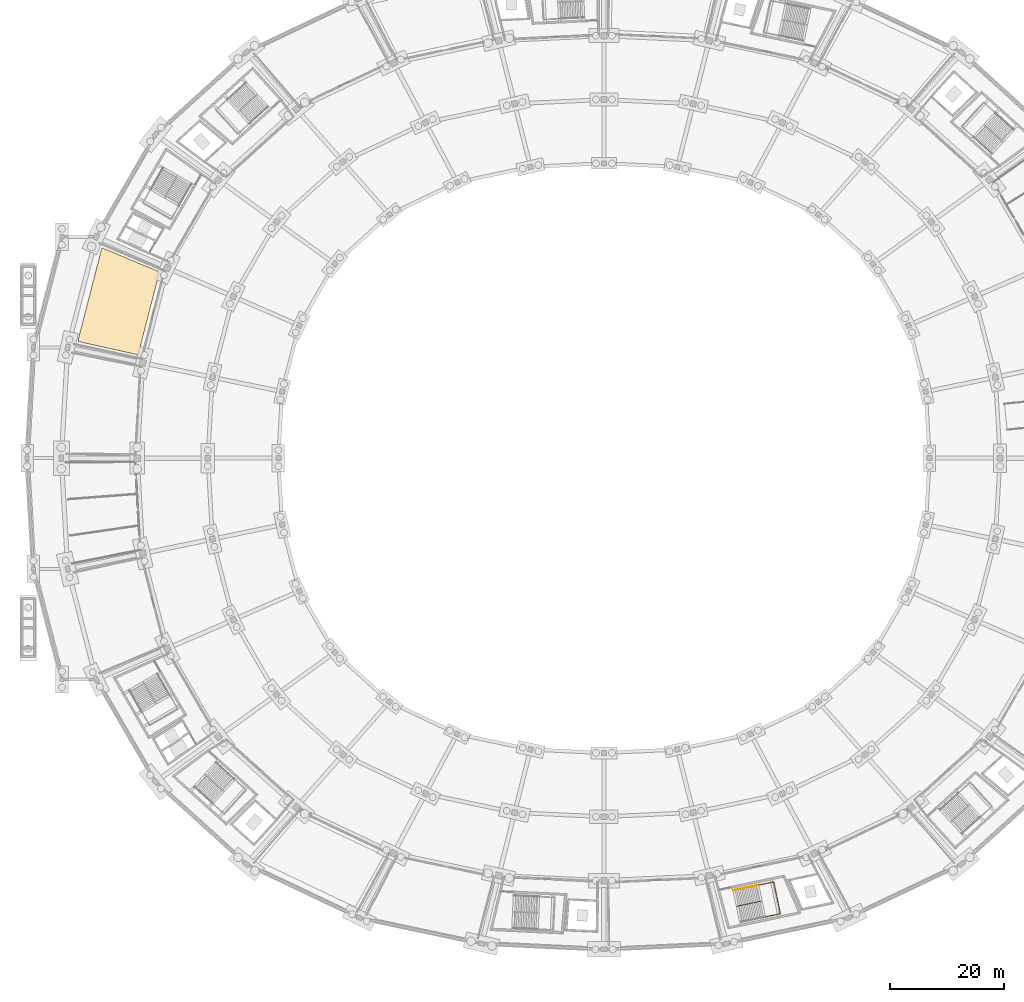
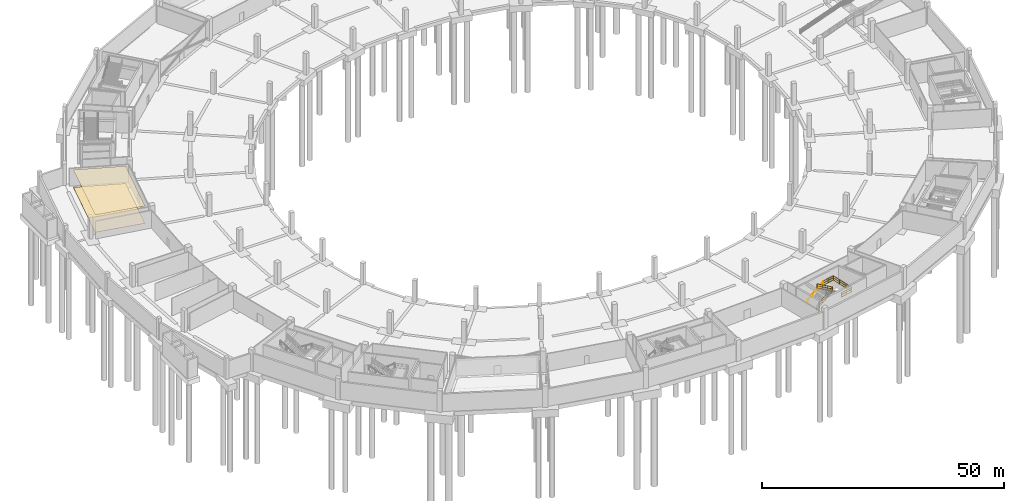
# One storey, part 44 of 49: 3 railings, 2 coverings.
"""IFC4 building model written with IfcOpenShell, lengths in metres."""

from ifc_helpers import new_model, si_unit, direction, frame, origin, origin_2d, place, context, subcontext, project, spatial, polyline, rectangle, outline, extrude, material, layer, layer_set, type_object, element, save


model = new_model("IFC4")

# Units and contexts
model_context = context("Model", 3, precision=1e-05, world=origin(), true_north=direction((0.0, 1.0)))
body_context = subcontext(model_context, "Body", "Model", "MODEL_VIEW")
ifc_project = project(units=[si_unit("LENGTHUNIT", "METRE"), si_unit("AREAUNIT", "SQUARE_METRE"), si_unit("VOLUMEUNIT", "CUBIC_METRE"), si_unit("PLANEANGLEUNIT", "RADIAN"), si_unit("MASSUNIT", "GRAM", prefix="KILO")], contexts=[model_context])

# Site, building, storey
site_placement = place(None, origin())
site = spatial("IfcSite", under=ifc_project, at=site_placement, CompositionType="ELEMENT")
building_placement = place(site_placement, origin())
building = spatial("IfcBuilding", under=site, at=building_placement, Name="Kazemori Nagisa Stadium", CompositionType="ELEMENT")
storey_placement = place(building_placement, frame((0.0, 0.0, -5.43994140625)))
storey = spatial("IfcBuildingStorey", under=building, at=storey_placement, Name="B1", CompositionType="ELEMENT", Elevation=-5.43994140625)

# Coverings
ifc_material_1 = material(Name="Mineral-fibre acoustic board", Category="gypsum")
ifc_layer_1 = layer(ifc_material_1, 0.02001953125, Name="Mineral-fibre acoustic board", Category="gypsum")
ifc_layer_set_1 = layer_set([ifc_layer_1], Name="Mineral-fibre acoustic board")
covering_type_1 = type_object("IfcCoveringType", Name="Cov_CEIL", PredefinedType="CEILING", material=ifc_layer_set_1)
covering_1_placement = place(storey_placement, frame((0.0, 0.0, 4.409912109375)))
element("IfcCovering", 1, at=covering_1_placement, inside=storey, type_object=covering_type_1, Name="Acoustic ceiling B1-B13", PredefinedType="CEILING", context=body_context, shape_type="SweptSolid", body=[
    extrude(outline(polyline([(45.1875, 134.6083984375), (41.44091796875, 120.095947265625), (30.871826171875, 122.44091796875), (35.103759765625, 138.833984375), (45.1875, 134.6083984375)])), origin(), (0.0, 0.0, 1.0), 0.02001953125),
])
ifc_material_2 = material(Name="Porcelain stoneware tile", Category="masonry")
ifc_layer_2 = layer(ifc_material_2, 0.02490234375, Name="Porcelain stoneware tile", Category="masonry")
ifc_layer_set_2 = layer_set([ifc_layer_2], Name="Porcelain stoneware tile")
covering_type_2 = type_object("IfcCoveringType", Name="Cov_FLOOR", PredefinedType="FLOORING", material=ifc_layer_set_2)
covering_2_placement = place(storey_placement, origin())
element("IfcCovering", 2, at=covering_2_placement, inside=storey, type_object=covering_type_2, Name="Porcelain floor finish B1-B13", PredefinedType="FLOORING", context=body_context, shape_type="SweptSolid", body=[
    extrude(outline(polyline([(45.1875, 134.6083984375), (41.44091796875, 120.095947265625), (30.871826171875, 122.44091796875), (35.103759765625, 138.833984375), (45.1875, 134.6083984375)])), origin(), (0.0, 0.0, 1.0), 0.02490234375),
])

# Railings
ifc_material_3 = material(Name="Galvanised powder-coated steel", Category="steel")
railing_type_1 = type_object("IfcRailingType", Name="Rail_GUARD", PredefinedType="GUARDRAIL", material=ifc_material_3)
railing_1_placement = place(storey_placement, frame((146.28857421875, 23.54833984375, 0.0)))
element("IfcRailing", 3, at=railing_1_placement, inside=storey, type_object=railing_type_1, Name="Stair central guard ST06-B1", PredefinedType="GUARDRAIL", context=body_context, shape_type="SweptSolid", body=[
    extrude(rectangle(XDim=0.050048828125, YDim=0.050048828125, at=origin_2d()), frame((0.0, 0.0, 1.09521484375), z_axis=(0.828171188942, 0.175229574165, 0.532378698056), x_axis=(-0.207003271495, 0.978340250419, 0.0)), (0.0, 0.0, 1.0), 5.109130859375),
    extrude(rectangle(XDim=0.03759765625, YDim=0.03759765625, at=origin_2d()), frame((0.0, 0.0, 0.58251953125), z_axis=(0.828171188942, 0.175229574165, 0.532378698056), x_axis=(-0.207003271495, 0.978340250419, 0.0)), (0.0, 0.0, 1.0), 5.109130859375),
    extrude(rectangle(XDim=0.03759765625, YDim=0.03759765625, at=origin_2d()), frame((0.0, 0.0, 0.02490234375), z_axis=(0.828171188942, 0.175229574165, 0.532378698056), x_axis=(-0.207003271495, 0.978340250419, 0.0)), (0.0, 0.0, 1.0), 5.109130859375),
    extrude(rectangle(XDim=0.050048828125, YDim=0.050048828125, at=origin_2d()), frame((4.231201171875, 0.895263671875, 3.81494140625), z_axis=(-0.823751834377, -0.174280339305, 0.539499099806), x_axis=(0.206987174116, -0.978343656264, 0.0)), (0.0, 0.0, 1.0), 5.041748046875),
    extrude(rectangle(XDim=0.03759765625, YDim=0.03759765625, at=origin_2d()), frame((4.231201171875, 0.895263671875, 3.302490234375), z_axis=(-0.823751834377, -0.174280339305, 0.539499099806), x_axis=(0.206987174116, -0.978343656264, 0.0)), (0.0, 0.0, 1.0), 5.041748046875),
    extrude(rectangle(XDim=0.03759765625, YDim=0.03759765625, at=origin_2d()), frame((4.231201171875, 0.895263671875, 2.7451171875), z_axis=(-0.823751834377, -0.174280339305, 0.539499099806), x_axis=(0.206987174116, -0.978343656264, 0.0)), (0.0, 0.0, 1.0), 5.041748046875),
    extrude(rectangle(XDim=0.044921875, YDim=0.044921875, at=origin_2d()), origin(), (0.0, 0.0, 1.0), 1.070068359375),
    extrude(rectangle(XDim=0.044921875, YDim=0.044921875, at=origin_2d()), frame((1.410400390625, 0.29833984375, 0.90673828125)), (0.0, 0.0, 1.0), 1.070068359375),
    extrude(rectangle(XDim=0.044921875, YDim=0.044921875, at=origin_2d()), frame((2.82080078125, 0.596923828125, 1.813232421875)), (0.0, 0.0, 1.0), 1.070068359375),
    extrude(rectangle(XDim=0.044921875, YDim=0.044921875, at=origin_2d()), frame((4.231201171875, 0.895263671875, 2.719970703125)), (0.0, 0.0, 1.0), 1.070068359375),
    extrude(rectangle(XDim=0.044921875, YDim=0.044921875, at=origin_2d()), frame((2.846923828125, 0.602294921875, 3.626708984375)), (0.0, 0.0, 1.0), 1.070068359375),
    extrude(rectangle(XDim=0.044921875, YDim=0.044921875, at=origin_2d()), frame((1.46240234375, 0.3095703125, 4.533203125)), (0.0, 0.0, 1.0), 1.070068359375),
    extrude(rectangle(XDim=0.044921875, YDim=0.044921875, at=origin_2d()), frame((0.078125, 0.0166015625, 5.43994140625)), (0.0, 0.0, 1.0), 1.070068359375),
])
railing_2_placement = place(storey_placement, frame((149.929931640625, 27.231689453125, 2.719970703125)))
element("IfcRailing", 4, at=railing_2_placement, inside=storey, type_object=railing_type_1, Name="Stair landing guard ST06-B1", PredefinedType="GUARDRAIL", context=body_context, shape_type="SweptSolid", body=[
    extrude(rectangle(XDim=0.050048828125, YDim=0.050048828125, at=origin_2d()), frame((0.0, 0.0, 1.09521484375), z_axis=(0.978332021586, 0.207042158845, 0.0), x_axis=(-0.207042158845, 0.978332021586, 0.0)), (0.0, 0.0, 1.0), 2.85009765625),
    extrude(rectangle(XDim=0.03759765625, YDim=0.03759765625, at=origin_2d()), frame((0.0, 0.0, 0.58251953125), z_axis=(0.978332021586, 0.207042158845, 0.0), x_axis=(-0.207042158845, 0.978332021586, 0.0)), (0.0, 0.0, 1.0), 2.85009765625),
    extrude(rectangle(XDim=0.03759765625, YDim=0.03759765625, at=origin_2d()), frame((0.0, 0.0, 0.02490234375), z_axis=(0.978332021586, 0.207042158845, 0.0), x_axis=(-0.207042158845, 0.978332021586, 0.0)), (0.0, 0.0, 1.0), 2.85009765625),
    extrude(rectangle(XDim=0.050048828125, YDim=0.050048828125, at=origin_2d()), frame((2.788330078125, 0.590087890625, 1.09521484375), z_axis=(0.206960167837, -0.978349369565, 0.0), x_axis=(0.978349369565, 0.206960167837, 0.0)), (0.0, 0.0, 1.0), 5.699951171875),
    extrude(rectangle(XDim=0.03759765625, YDim=0.03759765625, at=origin_2d()), frame((2.788330078125, 0.590087890625, 0.58251953125), z_axis=(0.206960167837, -0.978349369565, 0.0), x_axis=(0.978349369565, 0.206960167837, 0.0)), (0.0, 0.0, 1.0), 5.699951171875),
    extrude(rectangle(XDim=0.03759765625, YDim=0.03759765625, at=origin_2d()), frame((2.788330078125, 0.590087890625, 0.02490234375), z_axis=(0.206960167837, -0.978349369565, 0.0), x_axis=(0.978349369565, 0.206960167837, 0.0)), (0.0, 0.0, 1.0), 5.699951171875),
    extrude(rectangle(XDim=0.050048828125, YDim=0.050048828125, at=origin_2d()), frame((3.968017578125, -4.986572265625, 1.09521484375), z_axis=(-0.978345699972, -0.20697751411, 0.0), x_axis=(0.20697751411, -0.978345699972, 0.0)), (0.0, 0.0, 1.0), 2.849853515625),
    extrude(rectangle(XDim=0.03759765625, YDim=0.03759765625, at=origin_2d()), frame((3.968017578125, -4.986572265625, 0.58251953125), z_axis=(-0.978345699972, -0.20697751411, 0.0), x_axis=(0.20697751411, -0.978345699972, 0.0)), (0.0, 0.0, 1.0), 2.849853515625),
    extrude(rectangle(XDim=0.03759765625, YDim=0.03759765625, at=origin_2d()), frame((3.968017578125, -4.986572265625, 0.02490234375), z_axis=(-0.978345699972, -0.20697751411, 0.0), x_axis=(0.20697751411, -0.978345699972, 0.0)), (0.0, 0.0, 1.0), 2.849853515625),
    extrude(rectangle(XDim=0.044921875, YDim=0.044921875, at=origin_2d()), origin(), (0.0, 0.0, 1.0), 1.070068359375),
    extrude(rectangle(XDim=0.044921875, YDim=0.044921875, at=origin_2d()), frame((1.39404296875, 0.294921875, 0.0)), (0.0, 0.0, 1.0), 1.070068359375),
    extrude(rectangle(XDim=0.044921875, YDim=0.044921875, at=origin_2d()), frame((2.788330078125, 0.590087890625, 0.0)), (0.0, 0.0, 1.0), 1.070068359375),
    extrude(rectangle(XDim=0.044921875, YDim=0.044921875, at=origin_2d()), frame((3.181640625, -1.268798828125, 0.0)), (0.0, 0.0, 1.0), 1.070068359375),
    extrude(rectangle(XDim=0.044921875, YDim=0.044921875, at=origin_2d()), frame((3.57470703125, -3.127685546875, 0.0)), (0.0, 0.0, 1.0), 1.070068359375),
    extrude(rectangle(XDim=0.044921875, YDim=0.044921875, at=origin_2d()), frame((3.968017578125, -4.986572265625, 0.0)), (0.0, 0.0, 1.0), 1.070068359375),
    extrude(rectangle(XDim=0.044921875, YDim=0.044921875, at=origin_2d()), frame((2.573974609375, -5.281494140625, 0.0)), (0.0, 0.0, 1.0), 1.070068359375),
    extrude(rectangle(XDim=0.044921875, YDim=0.044921875, at=origin_2d()), frame((1.179931640625, -5.576416015625, 0.0)), (0.0, 0.0, 1.0), 1.070068359375),
])
ifc_material_4 = material(Name="Stainless steel SUS304", Category="steel")
railing_type_2 = type_object("IfcRailingType", Name="Rail_HAND", PredefinedType="HANDRAIL", material=ifc_material_4)
railing_3_placement = place(storey_placement, frame((145.69873046875, 26.336669921875, 0.169921875)))
element("IfcRailing", 5, at=railing_3_placement, inside=storey, type_object=railing_type_2, Name="Stair handrail ST06-B1-F1", PredefinedType="HANDRAIL", context=body_context, shape_type="SweptSolid", body=[
    extrude(rectangle(XDim=0.050048828125, YDim=0.050048828125, at=origin_2d()), frame((0.0, 0.0, 0.875), z_axis=(0.828178122726, 0.175183255318, 0.532383155345), x_axis=(-0.206949239158, 0.978351681356, 0.0)), (0.0, 0.0, 1.0), 5.109130859375),
    extrude(rectangle(XDim=0.044921875, YDim=0.044921875, at=origin_2d()), origin(), (0.0, 0.0, 1.0), 0.849853515625),
    extrude(rectangle(XDim=0.044921875, YDim=0.044921875, at=origin_2d()), frame((1.410400390625, 0.29833984375, 0.90673828125)), (0.0, 0.0, 1.0), 0.849853515625),
    extrude(rectangle(XDim=0.044921875, YDim=0.044921875, at=origin_2d()), frame((2.82080078125, 0.5966796875, 1.813232421875)), (0.0, 0.0, 1.0), 0.849853515625),
    extrude(rectangle(XDim=0.044921875, YDim=0.044921875, at=origin_2d()), frame((4.231201171875, 0.89501953125, 2.719970703125)), (0.0, 0.0, 1.0), 0.849853515625),
])

save(model, "model.ifc")
